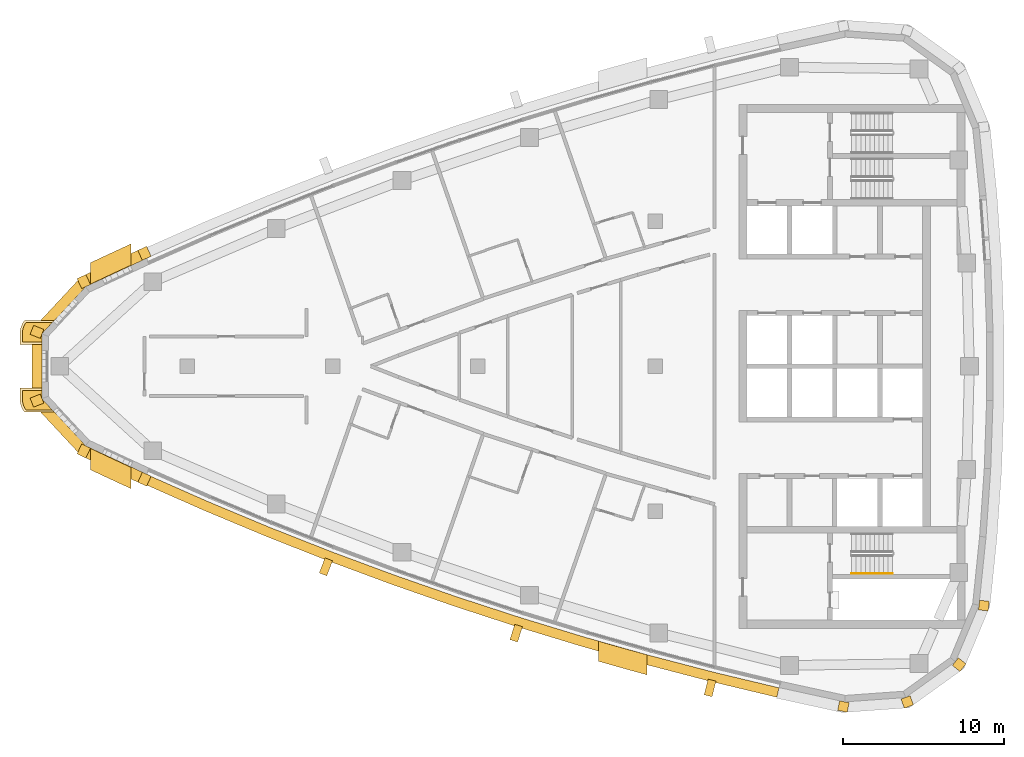
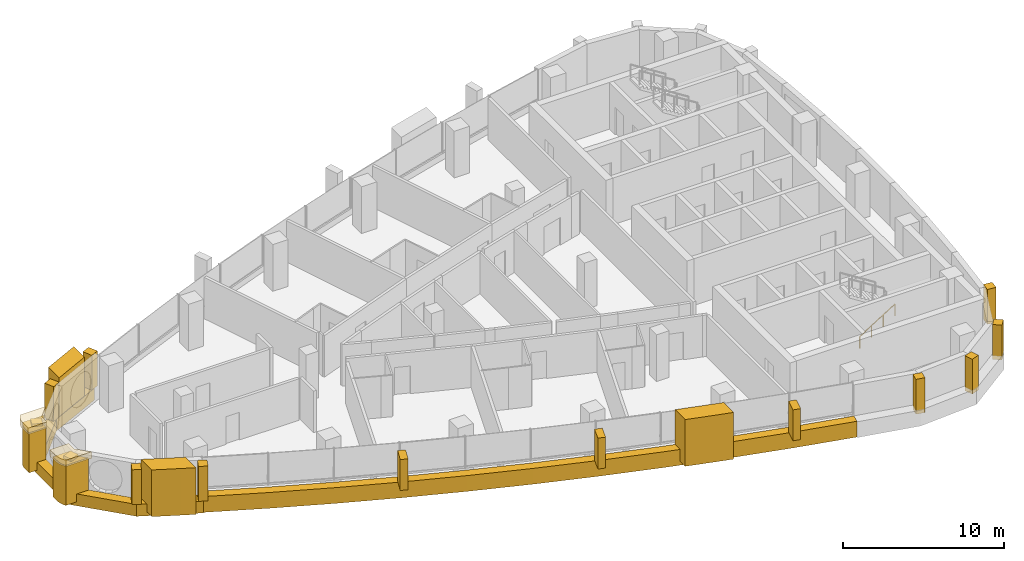
# One storey, part 11 of 14: 22 coverings, 1 railing.
"""IFC4 building model written with IfcOpenShell, lengths in metres."""

from ifc_helpers import new_model, si_unit, direction, frame, frame_2d, origin, origin_2d, place, context, subcontext, project, spatial, polyline, rectangle, circle, outline, extrude, material, layer, layer_set, type_object, element, save


model = new_model("IFC4")

# Units and contexts
model_context = context("Model", 3, precision=1e-05, world=origin(), true_north=direction((0.0, 1.0)))
body_context = subcontext(model_context, "Body", "Model", "MODEL_VIEW")
ifc_project = project(units=[si_unit("LENGTHUNIT", "METRE"), si_unit("AREAUNIT", "SQUARE_METRE"), si_unit("VOLUMEUNIT", "CUBIC_METRE"), si_unit("PLANEANGLEUNIT", "RADIAN"), si_unit("MASSUNIT", "GRAM", prefix="KILO")], contexts=[model_context])

# Site, building, storey
site_placement = place(None, origin())
site = spatial("IfcSite", under=ifc_project, at=site_placement, CompositionType="ELEMENT")
building_placement = place(site_placement, origin())
building = spatial("IfcBuilding", under=site, at=building_placement, Name="Ostrand Prow Hotel Tower", CompositionType="ELEMENT")
storey_placement = place(building_placement, frame((0.0, 0.0, 299.85009765625)))
storey = spatial("IfcBuildingStorey", under=building, at=storey_placement, Name="L76", CompositionType="ELEMENT", Elevation=299.85009765625)

# Coverings
ifc_material_1 = material(Name="Bronze anodised aluminium cladding", Category="aluminium")
ifc_layer_1 = layer(ifc_material_1, 0.60009765625)
ifc_layer_set_1 = layer_set([ifc_layer_1], Name="Bronze anodised aluminium cladding")
covering_type_1 = type_object("IfcCoveringType", Name="Bronze prow band 899x600", PredefinedType="CLADDING", material=ifc_layer_set_1)
covering_1_placement = place(storey_placement, frame((0.0, 0.0, -0.300048828125)))
element("IfcCovering", 1, at=covering_1_placement, inside=storey, type_object=covering_type_1, Name="Bronze prow band", PredefinedType="CLADDING", context=body_context, shape_type="SweptSolid", body=[
    extrude(outline(polyline([(13.195068359375, 7.316162109375), (9.424560546875, 5.559814453125), (6.348388671875, 2.2568359375), (6.348388671875, -2.2568359375), (9.424560546875, -5.559814453125), (13.195068359375, -7.316162109375), (13.47607421875, -6.697021484375), (9.718017578125, -4.9462890625), (6.981201171875, -2.0078125), (6.981201171875, 2.0078125), (9.718017578125, 4.9462890625), (13.47607421875, 6.697021484375), (13.195068359375, 7.316162109375)])), origin(), (0.0, 0.0, 1.0), 0.89990234375),
])
ifc_material_2 = material(Name="Bronze anodised aluminium cladding", Category="aluminium")
ifc_layer_2 = layer(ifc_material_2, 0.60009765625)
ifc_layer_set_2 = layer_set([ifc_layer_2], Name="Bronze anodised aluminium cladding")
covering_type_2 = type_object("IfcCoveringType", Name="Bronze spandrel band 1200x600", PredefinedType="CLADDING", material=ifc_layer_set_2)
covering_2_placement = place(storey_placement, frame((0.0, 0.0, -0.300048828125)))
element("IfcCovering", 2, at=covering_2_placement, inside=storey, type_object=covering_type_2, Name="Spandrel band S1", PredefinedType="CLADDING", context=body_context, shape_type="SweptSolid", body=[
    extrude(outline(polyline([(13.220947265625, -7.25927734375), (17.02490234375, -8.938720703125), (20.86181640625, -10.541748046875), (24.72998046875, -12.067138671875), (28.62841796875, -13.514404296875), (32.5546875, -14.88330078125), (36.508056640625, -16.172607421875), (40.486328125, -17.382568359375), (44.48828125, -18.51220703125), (48.51220703125, -19.56103515625), (52.55615234375, -20.52880859375), (52.68994140625, -19.94384765625), (48.65771484375, -18.97900390625), (44.6455078125, -17.93310546875), (40.6552734375, -16.806884765625), (36.6884765625, -15.6005859375), (32.74658203125, -14.314697265625), (28.83154296875, -12.949951171875), (24.944580078125, -11.5068359375), (21.08740234375, -9.98583984375), (17.26171875, -8.3876953125), (13.468994140625, -6.712890625), (13.220947265625, -7.25927734375)])), origin(), (0.0, 0.0, 1.0), 1.199951171875),
])
ifc_material_3 = material(Name="Limestone cladding", Category="masonry")
ifc_layer_3 = layer(ifc_material_3, 5.0)
ifc_layer_set_3 = layer_set([ifc_layer_3], Name="Limestone cladding")
covering_type_3 = type_object("IfcCoveringType", Name="Portal jamb pilaster limestone", PredefinedType="CLADDING", material=ifc_layer_set_3)
covering_3_placement = place(storey_placement, origin())
element("IfcCovering", 3, at=covering_3_placement, inside=storey, type_object=covering_type_3, Name="Portal jamb SA L76", PredefinedType="CLADDING", context=body_context, shape_type="SweptSolid", body=[
    extrude(outline(polyline([(10.0, -5.10009765625), (10.0, -6.428466796875), (10.833251953125, -6.8203125), (11.666748046875, -7.20751953125), (12.5, -7.590087890625), (12.5, -6.270263671875), (11.666748046875, -5.884765625), (10.833251953125, -5.494873046875), (10.0, -5.10009765625)])), origin(), (0.0, 0.0, 1.0), 3.5498046875),
])
covering_4_placement = place(storey_placement, origin())
element("IfcCovering", 4, at=covering_4_placement, inside=storey, type_object=covering_type_3, Name="Portal jamb SB L76", PredefinedType="CLADDING", context=body_context, shape_type="SweptSolid", body=[
    extrude(outline(polyline([(41.5, -17.052490234375), (41.5, -18.301025390625), (42.5, -18.585205078125), (43.5, -18.86376953125), (44.5, -19.136962890625), (44.5, -17.8935546875), (43.5, -17.61865234375), (42.5, -17.338134765625), (41.5, -17.052490234375)])), origin(), (0.0, 0.0, 1.0), 3.5498046875),
])
covering_5_placement = place(storey_placement, origin())
element("IfcCovering", 5, at=covering_5_placement, inside=storey, type_object=covering_type_3, Name="Portal jamb NA L76", PredefinedType="CLADDING", context=body_context, shape_type="SweptSolid", body=[
    extrude(outline(polyline([(10.0, 5.10009765625), (10.833251953125, 5.494873046875), (11.666748046875, 5.884765625), (12.5, 6.270263671875), (12.5, 7.590087890625), (11.666748046875, 7.20751953125), (10.833251953125, 6.8203125), (10.0, 6.428466796875), (10.0, 5.10009765625)])), origin(), (0.0, 0.0, 1.0), 3.5498046875),
])
ifc_material_4 = material(Name="Limestone cladding", Category="masonry")
ifc_layer_4 = layer(ifc_material_4, 0.5)
ifc_layer_set_4 = layer_set([ifc_layer_4], Name="Limestone cladding")
covering_type_4 = type_object("IfcCoveringType", Name="Precast stone fin 500x900", PredefinedType="CLADDING", material=ifc_layer_set_4)
covering_6_placement = place(storey_placement, frame((24.765869140625, -11.973876953125, 0.89990234375), z_axis=(0.0, 0.0, 1.0), x_axis=(-0.357456978517, -0.933929605757, 0.0)))
element("IfcCovering", 6, at=covering_6_placement, inside=storey, type_object=covering_type_4, Name="Stone fin S 4", PredefinedType="CLADDING", context=body_context, shape_type="SweptSolid", body=[
    extrude(rectangle(XDim=1.0, YDim=0.5, at=frame_2d((0.5, 0.0))), origin(), (0.0, 0.0, 1.0), 2.35009765625),
])
for number, where, z_axis, x_axis, name in (
    (7, (36.5380859375, -16.077392578125, 0.89990234375), (0.0, 0.0, 1.0), (-0.30058207316, -0.953755952692, 0.0), "Stone fin S 7"),
    (8, (48.536376953125, -19.464111328125, 0.89990234375), (0.0, 0.0, 1.0), (-0.242707978632, -0.970099395479, 0.0), "Stone fin S 10"),
):
    element("IfcCovering", number, at=place(storey_placement, frame(where, z_axis=z_axis, x_axis=x_axis)), inside=storey, type_object=covering_type_4, Name=name, PredefinedType="CLADDING", context=body_context, shape_type="SweptSolid", body=[
        extrude(rectangle(XDim=0.999755859375, YDim=0.5, at=frame_2d((0.5, 0.0))), origin(), (0.0, 0.0, 1.0), 2.35009765625),
    ])
ifc_material_5 = material(Name="Limestone cladding", Category="masonry")
ifc_layer_5 = layer(ifc_material_5, 0.60009765625)
ifc_layer_set_5 = layer_set([ifc_layer_5], Name="Limestone cladding")
covering_type_5 = type_object("IfcCoveringType", Name="Precast stone prow rib 600x600", PredefinedType="CLADDING", material=ifc_layer_set_5)
covering_7_placement = place(storey_placement, frame((13.47607421875, 6.697021484375, 0.599853515625), z_axis=(0.0, 0.0, 1.0), x_axis=(-0.413288868051, 0.910599973394, 0.0)))
element("IfcCovering", 9, at=covering_7_placement, inside=storey, type_object=covering_type_5, Name="Stone prow rib 1", PredefinedType="CLADDING", context=body_context, shape_type="SweptSolid", body=[
    extrude(rectangle(XDim=0.679931640625, YDim=0.60009765625, at=frame_2d((0.33984375, 0.0))), origin(), (0.0, 0.0, 1.0), 2.650146484375),
])
covering_8_placement = place(storey_placement, frame((9.718017578125, 4.9462890625, 0.599853515625), z_axis=(0.0, 0.0, 1.0), x_axis=(-0.431493603995, 0.902115995707, 0.0)))
element("IfcCovering", 10, at=covering_8_placement, inside=storey, type_object=covering_type_5, Name="Stone prow rib 2", PredefinedType="CLADDING", context=body_context, shape_type="SweptSolid", body=[
    extrude(rectangle(XDim=0.68017578125, YDim=0.60009765625, at=frame_2d((0.340087890625, 0.0))), origin(), (0.0, 0.0, 1.0), 2.650146484375),
])
for number, where, z_axis, x_axis, name in (
    (11, (6.981201171875, 2.0078125, 0.599853515625), (0.0, 0.0, 1.0), (-0.93054188789, 0.366185465142, 0.0), "Stone prow rib 3"),
    (12, (6.981201171875, -2.0078125, 0.599853515625), (0.0, 0.0, 1.0), (-0.93054188789, -0.366185465142, 0.0), "Stone prow rib 4"),
):
    element("IfcCovering", number, at=place(storey_placement, frame(where, z_axis=z_axis, x_axis=x_axis)), inside=storey, type_object=covering_type_5, Name=name, PredefinedType="CLADDING", context=body_context, shape_type="SweptSolid", body=[
        extrude(rectangle(XDim=0.679931640625, YDim=0.60009765625, at=frame_2d((0.33984375, 0.0))), origin(), (0.0, 0.0, 1.0), 2.650146484375),
    ])
covering_9_placement = place(storey_placement, frame((9.718017578125, -4.9462890625, 0.599853515625), z_axis=(0.0, 0.0, 1.0), x_axis=(-0.431493603995, -0.902115995707, 0.0)))
element("IfcCovering", 13, at=covering_9_placement, inside=storey, type_object=covering_type_5, Name="Stone prow rib 5", PredefinedType="CLADDING", context=body_context, shape_type="SweptSolid", body=[
    extrude(rectangle(XDim=0.68017578125, YDim=0.60009765625, at=frame_2d((0.340087890625, 0.0))), origin(), (0.0, 0.0, 1.0), 2.650146484375),
])
covering_10_placement = place(storey_placement, frame((13.47607421875, -6.697021484375, 0.599853515625), z_axis=(0.0, 0.0, 1.0), x_axis=(-0.413288868051, -0.910599973394, 0.0)))
element("IfcCovering", 14, at=covering_10_placement, inside=storey, type_object=covering_type_5, Name="Stone prow rib 6", PredefinedType="CLADDING", context=body_context, shape_type="SweptSolid", body=[
    extrude(rectangle(XDim=0.679931640625, YDim=0.60009765625, at=frame_2d((0.33984375, 0.0))), origin(), (0.0, 0.0, 1.0), 2.650146484375),
])
covering_11_placement = place(storey_placement, frame((56.744384765625, -20.810546875, 0.599853515625), z_axis=(0.0, 0.0, 1.0), x_axis=(-0.203385687349, -0.979098698897, 0.0)))
element("IfcCovering", 15, at=covering_11_placement, inside=storey, type_object=covering_type_5, Name="Stone corner rib 2a", PredefinedType="CLADDING", context=body_context, shape_type="SweptSolid", body=[
    extrude(rectangle(XDim=0.60009765625, YDim=0.60009765625, at=frame_2d((0.300048828125, 0.0))), origin(), (0.0, 0.0, 1.0), 2.650146484375),
])
for number, where, z_axis, x_axis, name in (
    (16, (60.540283203125, -20.539794921875, 0.599853515625), (0.0, 0.0, 1.0), (0.340664419472, -0.940184956966, 0.0), "Stone corner rib 3a"),
    (17, (63.630615234375, -18.318359375, 0.599853515625), (0.0, 0.0, 1.0), (0.782731736812, -0.622359243674, 0.0), "Stone corner rib 4a"),
):
    element("IfcCovering", number, at=place(storey_placement, frame(where, z_axis=z_axis, x_axis=x_axis)), inside=storey, type_object=covering_type_5, Name=name, PredefinedType="CLADDING", context=body_context, shape_type="SweptSolid", body=[
        extrude(rectangle(XDim=0.599853515625, YDim=0.60009765625, at=frame_2d((0.2998046875, 0.0))), origin(), (0.0, 0.0, 1.0), 2.650146484375),
    ])
covering_12_placement = place(storey_placement, frame((65.0966796875, -14.806396484375, 0.599853515625), z_axis=(0.0, 0.0, 1.0), x_axis=(0.992867207971, -0.119225447515, 0.0)))
element("IfcCovering", 18, at=covering_12_placement, inside=storey, type_object=covering_type_5, Name="Stone corner rib 4b", PredefinedType="CLADDING", context=body_context, shape_type="SweptSolid", body=[
    extrude(rectangle(XDim=0.60009765625, YDim=0.60009765625, at=frame_2d((0.300048828125, 0.0))), origin(), (0.0, 0.0, 1.0), 2.650146484375),
])
ifc_material_6 = material(Name="Limestone cladding", Category="masonry")
ifc_layer_6 = layer(ifc_material_6, 3.0)
ifc_layer_set_6 = layer_set([ifc_layer_6], Name="Limestone cladding")
covering_type_6 = type_object("IfcCoveringType", Name="Prow nose pier limestone", PredefinedType="CLADDING", material=ifc_layer_set_6)
covering_13_placement = place(storey_placement, frame((0.0, 0.0, 3.0498046875)))
element("IfcCovering", 19, at=covering_13_placement, inside=storey, type_object=covering_type_6, Name="Prow spine cap N L76", PredefinedType="CLADDING", context=body_context, shape_type="SweptSolid", body=[
    extrude(outline(polyline([(5.614990234375, 2.01416015625), (5.614990234375, 1.35009765625), (6.96484375, 1.35009765625), (6.96484375, 2.01416015625), (7.743408203125, 2.85009765625), (5.905517578125, 2.85009765625), (5.895263671875, 2.837890625), (5.82275390625, 2.734130859375), (5.760498046875, 2.6240234375), (5.70849609375, 2.508544921875), (5.66796875, 2.388916015625), (5.638427734375, 2.265869140625), (5.620849609375, 2.140625), (5.614990234375, 2.01416015625)])), origin(), (0.0, 0.0, 1.0), 0.5),
])
covering_14_placement = place(storey_placement, origin())
element("IfcCovering", 20, at=covering_14_placement, inside=storey, type_object=covering_type_6, Name="Prow spine fin N L76", PredefinedType="CLADDING", context=body_context, shape_type="SweptSolid", body=[
    extrude(outline(polyline([(5.764892578125, 2.01416015625), (5.764892578125, 1.5), (6.96484375, 1.5), (6.96484375, 2.01416015625), (7.603515625, 2.699951171875), (5.981689453125, 2.699951171875), (5.94970703125, 2.654052734375), (5.894287109375, 2.55615234375), (5.84814453125, 2.45361328125), (5.81201171875, 2.34716796875), (5.785888671875, 2.23779296875), (5.77001953125, 2.12646484375), (5.764892578125, 2.01416015625)])), origin(), (0.0, 0.0, 1.0), 3.0498046875),
])
covering_15_placement = place(storey_placement, frame((0.0, 0.0, 3.0498046875)))
element("IfcCovering", 21, at=covering_15_placement, inside=storey, type_object=covering_type_6, Name="Prow spine cap S L76", PredefinedType="CLADDING", context=body_context, shape_type="SweptSolid", body=[
    extrude(outline(polyline([(5.895263671875, -2.837890625), (5.905517578125, -2.85009765625), (7.743408203125, -2.85009765625), (6.96484375, -2.01416015625), (6.96484375, -1.35009765625), (5.614990234375, -1.35009765625), (5.614990234375, -2.01416015625), (5.620849609375, -2.140625), (5.638427734375, -2.265869140625), (5.66796875, -2.388916015625), (5.70849609375, -2.508544921875), (5.760498046875, -2.6240234375), (5.82275390625, -2.734130859375), (5.895263671875, -2.837890625)])), origin(), (0.0, 0.0, 1.0), 0.5),
])
covering_16_placement = place(storey_placement, origin())
element("IfcCovering", 22, at=covering_16_placement, inside=storey, type_object=covering_type_6, Name="Prow spine fin S L76", PredefinedType="CLADDING", context=body_context, shape_type="SweptSolid", body=[
    extrude(outline(polyline([(5.94970703125, -2.654052734375), (5.981689453125, -2.699951171875), (7.603515625, -2.699951171875), (6.96484375, -2.01416015625), (6.96484375, -1.5), (5.764892578125, -1.5), (5.764892578125, -2.01416015625), (5.77001953125, -2.12646484375), (5.785888671875, -2.23779296875), (5.81201171875, -2.34716796875), (5.84814453125, -2.45361328125), (5.894287109375, -2.55615234375), (5.94970703125, -2.654052734375)])), origin(), (0.0, 0.0, 1.0), 3.0498046875),
])

# Railing
ifc_material_7 = material(Name="Stainless steel", Category="steel")
railing_type = type_object("IfcRailingType", Name="Stair handrail 900", PredefinedType="HANDRAIL", material=ifc_material_7)
railing_placement = place(storey_placement, frame((57.199951171875, -12.85009765625, 0.177490234375)))
element("IfcRailing", 23, at=railing_placement, inside=storey, type_object=railing_type, Name="L76 ST2C stair handrail 1", PredefinedType="HANDRAIL", context=body_context, shape_type="SweptSolid", body=[
    extrude(circle(Radius=0.02392578125, at=origin_2d()), frame((0.0, 0.0, 0.8759765625), z_axis=(0.84460694969, 0.0, 0.535386869969), x_axis=(0.0, 1.0, 0.0)), (0.0, 0.0, 1.0), 2.983642578125),
    extrude(circle(Radius=0.02099609375, at=origin_2d()), origin(), (0.0, 0.0, 1.0), 0.851806640625),
    extrude(circle(Radius=0.02099609375, at=origin_2d()), frame((0.840087890625, 0.0, 0.532470703125)), (0.0, 0.0, 1.0), 0.851806640625),
    extrude(circle(Radius=0.02099609375, at=origin_2d()), frame((1.679931640625, 0.0, 1.06494140625)), (0.0, 0.0, 1.0), 0.851806640625),
    extrude(circle(Radius=0.02099609375, at=origin_2d()), frame((2.52001953125, 0.0, 1.597412109375)), (0.0, 0.0, 1.0), 0.851806640625),
])

save(model, "model.ifc")
